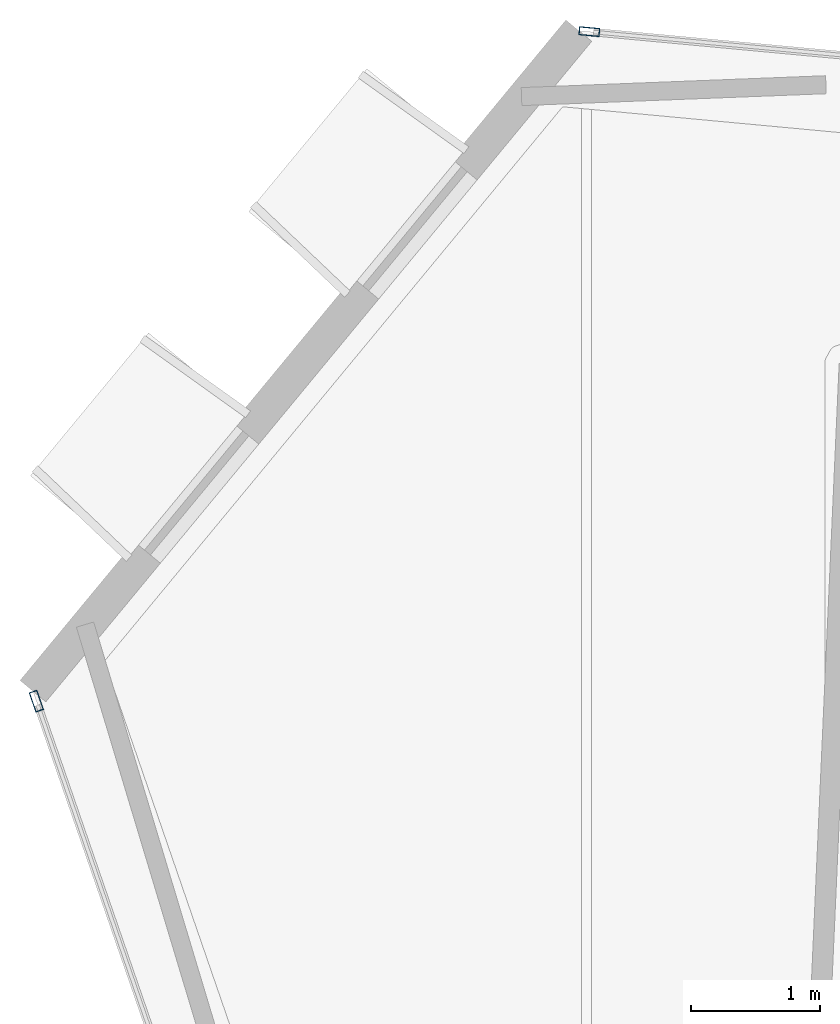
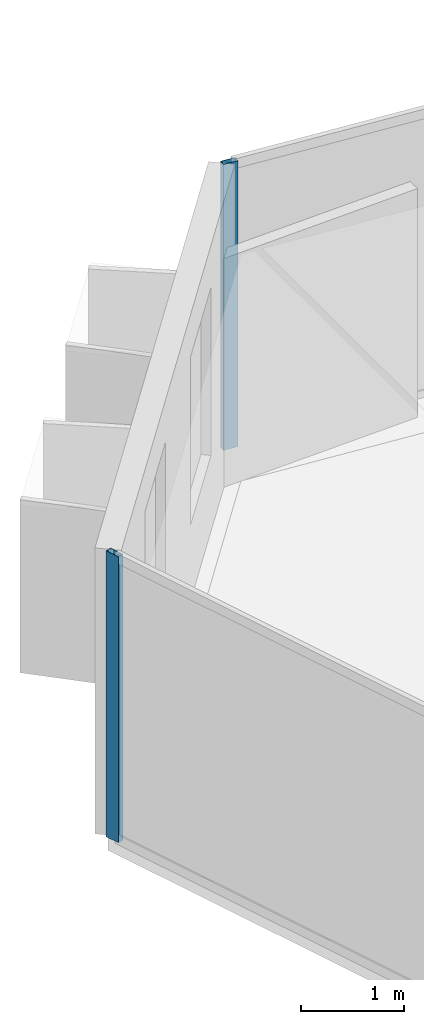
# One storey, part 9 of 20: 2 members, 2 elements without a shape of their own.
"""IFC4 building model written with IfcOpenShell, lengths in metres."""

import ifcopenshell
import ifcopenshell.guid

model = None  # the IFC model being written
_history = None  # IfcOwnerHistory: only IFC2X3 demands one
_inside = {}  # id of a spatial element -> (the spatial element, [elements in it])
_under = {}  # id of a project, library or spatial element -> (it, [spatial elements below it])
_declared = {}  # id of a project -> (the project, [libraries it declares])
_typed = {}  # id of a type object -> (the type object, [elements of that type])
_made_of = {}  # id of a material, layer set ... -> (it, [elements and type objects made of it])


def new_model(schema):
    """Start an empty IFC model of exactly this schema.

    Asked for "IFC4X3", IfcOpenShell would pick the latest addendum, in which some entities
    have other attributes; the version numbers below select the first issue.
    IFC2X3 requires an IfcOwnerHistory on every rooted entity: one is made here for all.
    """
    global model, _history
    if schema == "IFC4X3":
        model = ifcopenshell.file(schema_version=(4, 3, 0, 0))
    else:
        model = ifcopenshell.file(schema=schema)
    _inside.clear()
    _under.clear()
    _declared.clear()
    _typed.clear()
    _made_of.clear()
    _history = None
    if model.schema == "IFC2X3":
        org = make("IfcOrganization", Name="unknown")
        user = make(
            "IfcPersonAndOrganization",
            ThePerson=make("IfcPerson", FamilyName="unknown"),
            TheOrganization=org,
        )
        app = make(
            "IfcApplication",
            ApplicationDeveloper=org,
            Version="unknown",
            ApplicationFullName="unknown",
            ApplicationIdentifier="unknown",
        )
        _history = make(
            "IfcOwnerHistory",
            OwningUser=user,
            OwningApplication=app,
            ChangeAction="ADDED",
            CreationDate=0,
        )
    return model


def make(cls, **values):
    """One entity of the class cls with the attributes given. An attribute that is None is left unset."""
    return model.create_entity(
        cls, **{name: value for name, value in values.items() if value is not None}
    )


def rooted(cls, **values):
    """An entity with a GlobalId (a new one), such as an element, a storey or a relation."""
    return make(cls, GlobalId=ifcopenshell.guid.new(), OwnerHistory=_history, **values)


def si_unit(unit_type, name, prefix=None):
    """IfcSIUnit, for example si_unit("LENGTHUNIT", "METRE", prefix="MILLI")."""
    return make("IfcSIUnit", UnitType=unit_type, Prefix=prefix, Name=name)


def assignment(units):
    """IfcUnitAssignment: the units of a project."""
    return None if units is None else make("IfcUnitAssignment", Units=units)


def point(xyz):
    """IfcCartesianPoint."""
    return None if xyz is None else make("IfcCartesianPoint", Coordinates=xyz)


def direction(xyz):
    """IfcDirection."""
    return None if xyz is None else make("IfcDirection", DirectionRatios=xyz)


def frame(location, z_axis=None, x_axis=None):
    """IfcAxis2Placement3D, a coordinate frame: its origin and axes. An axis left out is left unset."""
    return make(
        "IfcAxis2Placement3D",
        Location=point(location),
        Axis=direction(z_axis),
        RefDirection=direction(x_axis),
    )


def frame_2d(location, x_axis=None):
    """IfcAxis2Placement2D, a coordinate frame in the plane: its origin and x axis."""
    return make(
        "IfcAxis2Placement2D", Location=point(location), RefDirection=direction(x_axis)
    )


def origin():
    """The frame at (0, 0, 0) with its axes left unset."""
    return frame((0.0, 0.0, 0.0))


def origin_2d():
    """The frame at (0, 0) in the plane with its x axis left unset."""
    return frame_2d((0.0, 0.0))


def place(relative_to, where):
    """IfcLocalPlacement: puts the frame where relative to a parent placement (None: the world)."""
    return make(
        "IfcLocalPlacement", PlacementRelTo=relative_to, RelativePlacement=where
    )


def context(
    kind, dimensions, precision=None, world=None, true_north=None, identifier=None
):
    """IfcGeometricRepresentationContext, for example the 3D "Model" context."""
    return make(
        "IfcGeometricRepresentationContext",
        ContextIdentifier=identifier,
        ContextType=kind,
        CoordinateSpaceDimension=dimensions,
        Precision=precision,
        WorldCoordinateSystem=world,
        TrueNorth=true_north,
    )


def subcontext(parent, identifier, kind, view, scale=None):
    """IfcGeometricRepresentationSubContext, for example "Body" below "Model"."""
    return make(
        "IfcGeometricRepresentationSubContext",
        ContextIdentifier=identifier,
        ContextType=kind,
        ParentContext=parent,
        TargetScale=scale,
        TargetView=view,
    )


def project(units=None, contexts=None):
    """IfcProject with its units and contexts."""
    return rooted(
        "IfcProject",
        Name="project",
        RepresentationContexts=contexts,
        UnitsInContext=assignment(units),
    )


def spatial(cls, under=None, at=None, **own):
    """A site, building, storey or space (cls), placed at a placement, below another one or the project."""
    s = rooted(cls, ObjectPlacement=at, **own)
    if under is not None:
        _under.setdefault(under.id(), (under, []))[1].append(s)
    return s


def profile(cls, at=None, kind="AREA", **sizes):
    """A parametric profile (cls). Its sizes go by their IFC names, for example OverallWidth=200.0."""
    return make(cls, ProfileType=kind, Position=at, **sizes)


def hollow_rectangle(**sizes):
    """IfcRectangleHollowProfileDef."""
    return profile("IfcRectangleHollowProfileDef", **sizes)


def extrude(swept, where, along, depth):
    """IfcExtrudedAreaSolid: the profile swept, set in the frame where, extruded along a direction by depth."""
    return make(
        "IfcExtrudedAreaSolid",
        SweptArea=swept,
        Position=where,
        ExtrudedDirection=direction(along),
        Depth=depth,
    )


def shape(context_of_items, identifier, shape_type, items):
    """IfcShapeRepresentation: the items that make up one representation, for example the "Body"."""
    return make(
        "IfcShapeRepresentation",
        ContextOfItems=context_of_items,
        RepresentationIdentifier=identifier,
        RepresentationType=shape_type,
        Items=items,
    )


def material(Name=None, Category=None):
    """IfcMaterial."""
    return make("IfcMaterial", Name=Name, Category=Category)


def layer(
    of_material, thickness, ventilated=None, Name=None, Category=None, Priority=None
):
    """IfcMaterialLayer: one layer of a wall or slab, of a material (None: an air gap)."""
    return make(
        "IfcMaterialLayer",
        Material=of_material,
        LayerThickness=thickness,
        IsVentilated=ventilated,
        Name=Name,
        Category=Category,
        Priority=Priority,
    )


def layer_set(layers, Name=None):
    """IfcMaterialLayerSet."""
    return make("IfcMaterialLayerSet", MaterialLayers=layers, LayerSetName=Name)


def material_profile(
    of_material, cross_section, Name=None, Category=None, Priority=None
):
    """IfcMaterialProfile: a cross section and its material."""
    return make(
        "IfcMaterialProfile",
        Name=Name,
        Material=of_material,
        Profile=cross_section,
        Priority=Priority,
        Category=Category,
    )


def profile_set(profiles, Name=None, composite=None):
    """IfcMaterialProfileSet."""
    return make(
        "IfcMaterialProfileSet",
        Name=Name,
        MaterialProfiles=profiles,
        CompositeProfile=composite,
    )


def made_of(thing, what):
    """Note that an element or type object is made of a material, layer set ...; save() writes the relation."""
    if what is not None:
        _made_of.setdefault(what.id(), (what, []))[1].append(thing)
    return thing


def type_object(cls, material=None, **own):
    """A type object (cls), such as IfcWallType, which elements share."""
    return made_of(rooted(cls, **own), material)


def element(
    cls,
    number,
    at=None,
    inside=None,
    cuts=None,
    type_object=None,
    material=None,
    context=None,
    identifier="Body",
    shape_type=None,
    held_by="IfcProductDefinitionShape",
    body=None,
    shapes=None,
    **own,
):
    """One element of the class cls, such as IfcWall. Its Tag is "e" and its number.

    at: its placement. inside: the storey or other place that contains it. cuts: it is an
    opening in that element (IfcRelVoidsElement). A single representation is given by context,
    identifier, shape_type and body (its items); several are given by shapes. held_by: the class
    of the entity that holds the representations. save() writes the other relations.
    """
    e = rooted(cls, Tag="e%d" % number, ObjectPlacement=at, **own)
    if body is not None:
        shapes = [shape(context, identifier, shape_type, body)]
    if shapes is not None:
        e.Representation = make(held_by, Representations=shapes)
    if inside is not None:
        _inside.setdefault(inside.id(), (inside, []))[1].append(e)
    if cuts is not None:
        rooted(
            "IfcRelVoidsElement", RelatingBuildingElement=cuts, RelatedOpeningElement=e
        )
    if type_object is not None:
        _typed.setdefault(type_object.id(), (type_object, []))[1].append(e)
    return made_of(e, material)


def aggregate(whole, parts):
    """IfcRelAggregates: a whole, such as a stair, and the parts it consists of."""
    return rooted("IfcRelAggregates", RelatingObject=whole, RelatedObjects=parts)


def save(model, path):
    """Write the relations noted so far, then the file.

    IfcRelAggregates (storeys below a building ...), IfcRelContainedInSpatialStructure (elements
    in a storey), IfcRelDefinesByType, IfcRelAssociatesMaterial and IfcRelDeclares: one each for
    every whole, place, type object, material and project.
    """
    for whole, parts in _under.values():
        aggregate(whole, parts)
    for where, things in _inside.values():
        rooted(
            "IfcRelContainedInSpatialStructure",
            RelatedElements=things,
            RelatingStructure=where,
        )
    for kind, things in _typed.values():
        rooted("IfcRelDefinesByType", RelatedObjects=things, RelatingType=kind)
    for what, things in _made_of.values():
        rooted("IfcRelAssociatesMaterial", RelatedObjects=things, RelatingMaterial=what)
    for by, libraries in _declared.values():
        rooted("IfcRelDeclares", RelatingContext=by, RelatedDefinitions=libraries)
    model.write(path)


model = new_model("IFC4")

# Units and contexts
model_context = context("Model", 3, precision=1e-05, world=origin(), true_north=direction((0.0, 1.0)))
body_context = subcontext(model_context, "Body", "Model", "MODEL_VIEW")
ifc_project = project(units=[si_unit("LENGTHUNIT", "METRE"), si_unit("AREAUNIT", "SQUARE_METRE"), si_unit("VOLUMEUNIT", "CUBIC_METRE"), si_unit("PLANEANGLEUNIT", "RADIAN"), si_unit("MASSUNIT", "GRAM", prefix="KILO")], contexts=[model_context])

# Site, building, storey
site_placement = place(None, origin())
site = spatial("IfcSite", under=ifc_project, at=site_placement, CompositionType="ELEMENT")
building_placement = place(site_placement, origin())
building = spatial("IfcBuilding", under=site, at=building_placement, Name="Qianvela Tower", CompositionType="ELEMENT")
storey_placement = place(building_placement, frame((0.0, 0.0, 226.199951171875)))
storey = spatial("IfcBuildingStorey", under=building, at=storey_placement, Name="L58", CompositionType="ELEMENT", Elevation=226.199951171875)

# Curtain wall, member
ifc_material_1 = material(Name="Anodised Architectural Aluminium and Low-E Glass", Category="aluminium")
ifc_layer = layer(ifc_material_1, 0.159912109375)
ifc_layer_set = layer_set([ifc_layer], Name="Anodised Architectural Aluminium and Low-E Glass")
curtain_wall_type = type_object("IfcCurtainWallType", Name="CW-COLIV-Z56", PredefinedType="USERDEFINED", material=ifc_layer_set)
curtain_wall_1_placement = place(storey_placement, origin())
curtain_wall_1 = element("IfcCurtainWall", 1, at=curtain_wall_1_placement, inside=storey, type_object=curtain_wall_type, Name="L58 CW-COLIV-Z56 Curtain Wall 02C", ObjectType="CURTAIN_WALL_SYSTEM", PredefinedType="USERDEFINED")
ifc_material_2 = material(Name="Anodised Architectural Aluminium 6063-T6", Category="aluminium")
ifc_material_profile = material_profile(ifc_material_2, hollow_rectangle(XDim=0.06494140625, YDim=0.159912109375, WallThickness=0.0048828125, at=origin_2d()), Name="ALU-MULL-65x160")
ifc_profile_set = profile_set([ifc_material_profile], Name="Anodised Architectural Aluminium 6063-T6")
member_type = type_object("IfcMemberType", Name="CW-COLIV-Z56-MULL", PredefinedType="MULLION", material=ifc_profile_set)
member_1_placement = place(storey_placement, frame((23.46142578125, 38.847412109375, 0.0), z_axis=(0.0, 0.0, 1.0), x_axis=(-0.092600398507, -0.995703352508, 0.0)))
member_1 = element("IfcMember", 2, at=member_1_placement, type_object=member_type, Name="CW-5 mullion 3", PredefinedType="MULLION", context=body_context, shape_type="SweptSolid", body=[
    extrude(hollow_rectangle(XDim=0.06494140625, YDim=0.159912109375, WallThickness=0.0048828125, at=origin_2d()), origin(), (0.0, 0.0, 1.0), 3.400146484375),
])
aggregate(curtain_wall_1, [member_1])

curtain_wall_2_placement = place(storey_placement, origin())
curtain_wall_2 = element("IfcCurtainWall", 3, at=curtain_wall_2_placement, inside=storey, type_object=curtain_wall_type, Name="L58 CW-COLIV-Z56 Curtain Wall 04A", ObjectType="CURTAIN_WALL_SYSTEM", PredefinedType="USERDEFINED")
member_2_placement = place(storey_placement, frame((19.16796875, 33.649169921875, 0.0), z_axis=(0.0, 0.0, 1.0), x_axis=(0.945291979622, 0.326225494501, 0.0)))
member_2 = element("IfcMember", 4, at=member_2_placement, type_object=member_type, Name="CW-5 mullion 1", PredefinedType="MULLION", context=body_context, shape_type="SweptSolid", body=[
    extrude(hollow_rectangle(XDim=0.06494140625, YDim=0.159912109375, WallThickness=0.0048828125, at=origin_2d()), origin(), (0.0, 0.0, 1.0), 3.400146484375),
])
aggregate(curtain_wall_2, [member_2])

save(model, "model.ifc")
